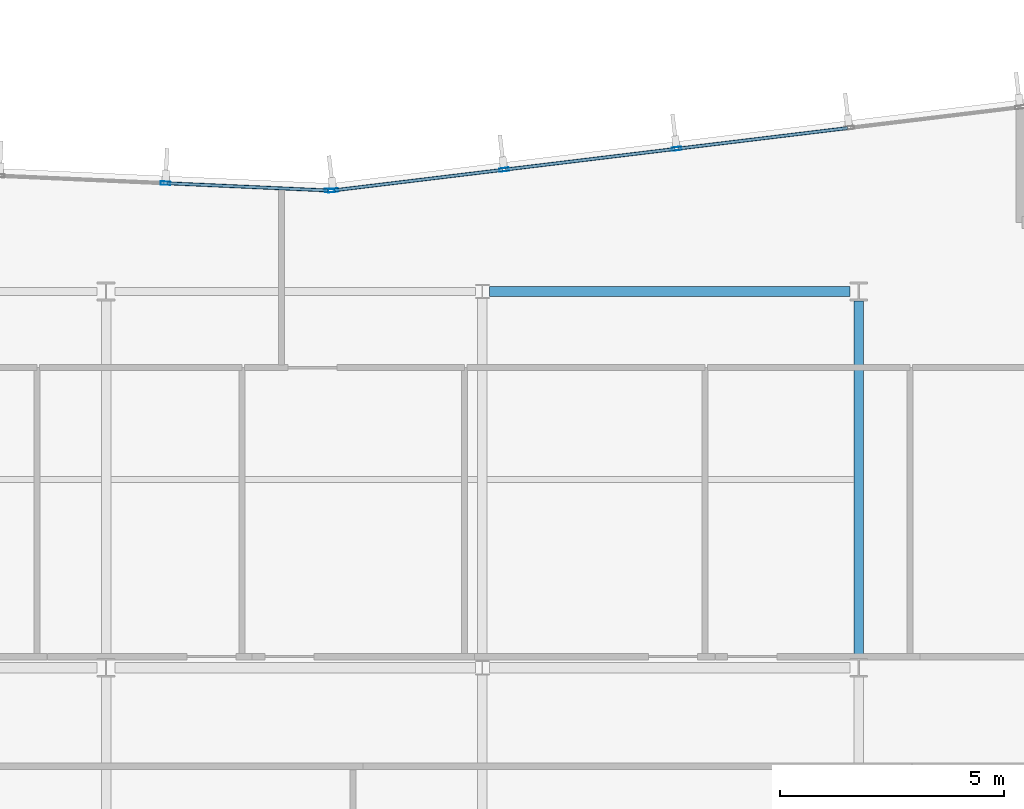
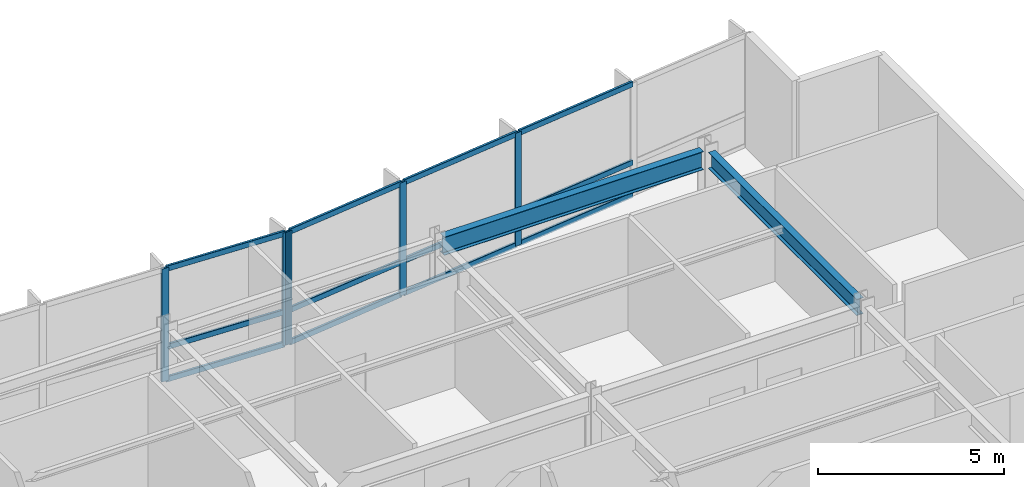
# One storey, part 7 of 18: 17 members, 2 beams, 2 elements without a shape of their own.
"""IFC4 building model written with IfcOpenShell, lengths in metres."""

from ifc_helpers import new_model, si_unit, direction, frame, origin, origin_2d, place, context, subcontext, project, spatial, hollow_rectangle, i_section, extrude, material, layer, layer_set, material_profile, profile_set, type_object, element, aggregate, save


model = new_model("IFC4")

# Units and contexts
model_context = context("Model", 3, precision=1e-05, world=origin(), true_north=direction((0.0, 1.0)))
body_context = subcontext(model_context, "Body", "Model", "MODEL_VIEW")
ifc_project = project(units=[si_unit("LENGTHUNIT", "METRE"), si_unit("AREAUNIT", "SQUARE_METRE"), si_unit("VOLUMEUNIT", "CUBIC_METRE"), si_unit("PLANEANGLEUNIT", "RADIAN"), si_unit("MASSUNIT", "GRAM", prefix="KILO")], contexts=[model_context])

# Site, building, storey
site_placement = place(None, origin())
site = spatial("IfcSite", under=ifc_project, at=site_placement, CompositionType="ELEMENT")
building_placement = place(site_placement, origin())
building = spatial("IfcBuilding", under=site, at=building_placement, Name="Varnakote Quay Hospital", CompositionType="ELEMENT")
storey_placement = place(building_placement, frame((0.0, 0.0, 154.699951171875)))
storey = spatial("IfcBuildingStorey", under=building, at=storey_placement, Name="L38", CompositionType="ELEMENT", Elevation=154.699951171875)

# Beams
ifc_material_1 = material(Name="Structural steel AS/NZS 3679.1 Grade 350 L0 (fy 340 MPa)", Category="steel")
ifc_material_profile_1 = material_profile(ifc_material_1, i_section(OverallWidth=0.208984375, OverallDepth=0.532958984375, WebThickness=0.01025390625, FlangeThickness=0.015625, FilletRadius=0.013916015625, at=origin_2d()), Name="530UB92.4")
ifc_profile_set_1 = profile_set([ifc_material_profile_1], Name="Structural steel AS/NZS 3679.1 Grade 350 L0 (fy 340 MPa)")
beam_type_1 = type_object("IfcBeamType", Name="BM-STL-530UB92-4", PredefinedType="BEAM", material=ifc_profile_set_1)
beam_1_placement = place(storey_placement, frame((50.39990234375, 20.610107421875, 3.443603515625), z_axis=(0.0, 1.0, 0.0), x_axis=(-1.0, 0.0, 0.0)))
element("IfcBeam", 1, at=beam_1_placement, inside=storey, type_object=beam_type_1, Name="L38 Primary Tie Beam", PredefinedType="BEAM", context=body_context, shape_type="SweptSolid", body=[
    extrude(i_section(OverallWidth=0.208984375, OverallDepth=0.532958984375, WebThickness=0.01025390625, FlangeThickness=0.015625, FilletRadius=0.013916015625, at=origin_2d()), origin(), (0.0, 0.0, 1.0), 7.97998046875),
])
ifc_material_2 = material(Name="Structural steel AS/NZS 3679.1 Grade 350 L0 (fy 340 MPa)", Category="steel")
ifc_material_profile_2 = material_profile(ifc_material_2, i_section(OverallWidth=0.22802734375, OverallDepth=0.60205078125, WebThickness=0.010498046875, FlangeThickness=0.014892578125, FilletRadius=0.013916015625, at=origin_2d()), Name="610UB101")
ifc_profile_set_2 = profile_set([ifc_material_profile_2], Name="Structural steel AS/NZS 3679.1 Grade 350 L0 (fy 340 MPa)")
beam_type_2 = type_object("IfcBeamType", Name="BM-STL-610UB101", PredefinedType="BEAM", material=ifc_profile_set_2)
beam_2_placement = place(storey_placement, frame((42.153564453125, 28.800048828125, 3.408935546875), z_axis=(1.0, 0.0, 0.0), x_axis=(0.0, 1.0, 0.0)))
element("IfcBeam", 2, at=beam_2_placement, inside=storey, type_object=beam_type_2, Name="L38 Primary Floor Beam", PredefinedType="BEAM", context=body_context, shape_type="SweptSolid", body=[
    extrude(i_section(OverallWidth=0.22802734375, OverallDepth=0.60205078125, WebThickness=0.010498046875, FlangeThickness=0.014892578125, FilletRadius=0.013916015625, at=origin_2d()), origin(), (0.0, 0.0, 1.0), 8.04638671875),
])

# Curtain wall, members
ifc_material_3 = material(Name="Anodised aluminium 6063-T6 Bronze", Category="aluminium")
ifc_layer = layer(ifc_material_3, 0.205078125)
ifc_layer_set = layer_set([ifc_layer], Name="Anodised aluminium 6063-T6 Bronze")
curtain_wall_type = type_object("IfcCurtainWallType", Name="CW-SYS-3", PredefinedType="NOTDEFINED", material=ifc_layer_set)
curtain_wall_1_placement = place(storey_placement, origin())
curtain_wall_1 = element("IfcCurtainWall", 3, at=curtain_wall_1_placement, inside=storey, type_object=curtain_wall_type, Name="L38 Unitised Bronze Curtain Wall 1", PredefinedType="NOTDEFINED")
ifc_material_4 = material(Name="Anodised aluminium 6063-T6 Bronze", Category="aluminium")
ifc_material_profile_3 = material_profile(ifc_material_4, hollow_rectangle(XDim=0.074951171875, YDim=0.219970703125, WallThickness=0.00439453125, InnerFilletRadius=0.00439453125, OuterFilletRadius=0.009033203125, at=origin_2d()), Name="CW-MULL-220x75")
ifc_profile_set_3 = profile_set([ifc_material_profile_3], Name="Anodised aluminium 6063-T6 Bronze")
member_type_1 = type_object("IfcMemberType", Name="CW-MULL-220x75", PredefinedType="MULLION", material=ifc_profile_set_3)
member_1_placement = place(storey_placement, frame((46.3349609375, 31.985595703125, 0.0), z_axis=(0.0, 0.0, 1.0), x_axis=(0.12032713492, -0.992734295067, 0.0)))
member_1 = element("IfcMember", 4, at=member_1_placement, type_object=member_type_1, Name="-3-L38-1 mullion 3", PredefinedType="MULLION", context=body_context, shape_type="SweptSolid", body=[
    extrude(hollow_rectangle(XDim=0.074951171875, YDim=0.219970703125, WallThickness=0.00439453125, InnerFilletRadius=0.00439453125, OuterFilletRadius=0.009033203125, at=origin_2d()), origin(), (0.0, 0.0, 1.0), 3.7099609375),
])
member_2_placement = place(storey_placement, frame((42.482666015625, 31.5185546875, 0.0), z_axis=(0.0, 0.0, 1.0), x_axis=(0.12032713492, -0.992734295067, 0.0)))
member_2 = element("IfcMember", 5, at=member_2_placement, type_object=member_type_1, Name="-3-L38-1 mullion 4", PredefinedType="MULLION", context=body_context, shape_type="SweptSolid", body=[
    extrude(hollow_rectangle(XDim=0.074951171875, YDim=0.219970703125, WallThickness=0.00439453125, InnerFilletRadius=0.00439453125, OuterFilletRadius=0.009033203125, at=origin_2d()), origin(), (0.0, 0.0, 1.0), 3.7099609375),
])
member_3_placement = place(storey_placement, frame((38.667236328125, 31.05615234375, 0.0), z_axis=(0.0, 0.0, 1.0), x_axis=(0.12032713492, -0.992734295067, 0.0)))
member_3 = element("IfcMember", 6, at=member_3_placement, type_object=member_type_1, Name="-3-L38-1 mullion 5", PredefinedType="MULLION", context=body_context, shape_type="SweptSolid", body=[
    extrude(hollow_rectangle(XDim=0.074951171875, YDim=0.219970703125, WallThickness=0.00439453125, InnerFilletRadius=0.00439453125, OuterFilletRadius=0.009033203125, at=origin_2d()), origin(), (0.0, 0.0, 1.0), 3.7099609375),
])

curtain_wall_2_placement = place(storey_placement, origin())
curtain_wall_2 = element("IfcCurtainWall", 7, at=curtain_wall_2_placement, inside=storey, type_object=curtain_wall_type, Name="L38 Unitised Bronze Curtain Wall 2", PredefinedType="NOTDEFINED")
member_4_placement = place(storey_placement, frame((38.592529296875, 31.05322265625, 0.0), z_axis=(0.0, 0.0, 1.0), x_axis=(-0.044782334659, -0.998996768014, 0.0)))
member_4 = element("IfcMember", 8, at=member_4_placement, type_object=member_type_1, Name="-3-L38-2 mullion 1", PredefinedType="MULLION", context=body_context, shape_type="SweptSolid", body=[
    extrude(hollow_rectangle(XDim=0.074951171875, YDim=0.219970703125, WallThickness=0.00439453125, InnerFilletRadius=0.00439453125, OuterFilletRadius=0.009033203125, at=origin_2d()), origin(), (0.0, 0.0, 1.0), 3.7099609375),
])
member_5_placement = place(storey_placement, frame((34.927001953125, 31.217529296875, 0.0), z_axis=(0.0, 0.0, 1.0), x_axis=(-0.044782334659, -0.998996768014, 0.0)))
member_5 = element("IfcMember", 9, at=member_5_placement, type_object=member_type_1, Name="-3-L38-2 mullion 2", PredefinedType="MULLION", context=body_context, shape_type="SweptSolid", body=[
    extrude(hollow_rectangle(XDim=0.074951171875, YDim=0.219970703125, WallThickness=0.00439453125, InnerFilletRadius=0.00439453125, OuterFilletRadius=0.009033203125, at=origin_2d()), origin(), (0.0, 0.0, 1.0), 3.7099609375),
])

# Member
ifc_material_5 = material(Name="Anodised aluminium 6063-T6 Bronze", Category="aluminium")
ifc_material_profile_4 = material_profile(ifc_material_5, hollow_rectangle(XDim=0.074951171875, YDim=0.179931640625, WallThickness=0.004150390625, InnerFilletRadius=0.004150390625, OuterFilletRadius=0.00830078125, at=origin_2d()), Name="CW-TRAN-180x75")
ifc_profile_set_4 = profile_set([ifc_material_profile_4], Name="Anodised aluminium 6063-T6 Bronze")
member_type_2 = type_object("IfcMemberType", Name="CW-TRAN-180x75", PredefinedType="USERDEFINED", material=ifc_profile_set_4)
member_6_placement = place(storey_placement, frame((50.150390625, 32.447998046875, 0.03759765625), z_axis=(-0.992731924158, -0.120346694005, 0.0), x_axis=(0.120346694005, -0.992731924158, 0.0)))
member_6 = element("IfcMember", 10, at=member_6_placement, type_object=member_type_2, Name="-3-L38-1 transom 2.1", ObjectType="TRANSOM", PredefinedType="USERDEFINED", context=body_context, shape_type="SweptSolid", body=[
    extrude(hollow_rectangle(XDim=0.074951171875, YDim=0.179931640625, WallThickness=0.004150390625, InnerFilletRadius=0.004150390625, OuterFilletRadius=0.00830078125, at=origin_2d()), origin(), (0.0, 0.0, 1.0), 3.8056640625),
])

member_7_placement = place(storey_placement, frame((50.150390625, 32.447998046875, 1.10009765625), z_axis=(-0.992731924158, -0.120346694005, 0.0), x_axis=(0.120346694005, -0.992731924158, 0.0)))
member_7 = element("IfcMember", 11, at=member_7_placement, type_object=member_type_2, Name="-3-L38-1 transom 2.2", ObjectType="TRANSOM", PredefinedType="USERDEFINED", context=body_context, shape_type="SweptSolid", body=[
    extrude(hollow_rectangle(XDim=0.074951171875, YDim=0.179931640625, WallThickness=0.004150390625, InnerFilletRadius=0.004150390625, OuterFilletRadius=0.00830078125, at=origin_2d()), origin(), (0.0, 0.0, 1.0), 3.8056640625),
])

member_8_placement = place(storey_placement, frame((50.150390625, 32.447998046875, 3.672607421875), z_axis=(-0.992731924158, -0.120346694005, 0.0), x_axis=(0.120346694005, -0.992731924158, 0.0)))
member_8 = element("IfcMember", 12, at=member_8_placement, type_object=member_type_2, Name="-3-L38-1 transom 2.3", ObjectType="TRANSOM", PredefinedType="USERDEFINED", context=body_context, shape_type="SweptSolid", body=[
    extrude(hollow_rectangle(XDim=0.074951171875, YDim=0.179931640625, WallThickness=0.004150390625, InnerFilletRadius=0.004150390625, OuterFilletRadius=0.00830078125, at=origin_2d()), origin(), (0.0, 0.0, 1.0), 3.8056640625),
])

member_9_placement = place(storey_placement, frame((46.2978515625, 31.98095703125, 0.03759765625), z_axis=(-0.992731924158, -0.120346694005, 0.0), x_axis=(0.120346694005, -0.992731924158, 0.0)))
member_9 = element("IfcMember", 13, at=member_9_placement, type_object=member_type_2, Name="-3-L38-1 transom 3.1", ObjectType="TRANSOM", PredefinedType="USERDEFINED", context=body_context, shape_type="SweptSolid", body=[
    extrude(hollow_rectangle(XDim=0.074951171875, YDim=0.179931640625, WallThickness=0.004150390625, InnerFilletRadius=0.004150390625, OuterFilletRadius=0.00830078125, at=origin_2d()), origin(), (0.0, 0.0, 1.0), 3.8056640625),
])

member_10_placement = place(storey_placement, frame((46.2978515625, 31.98095703125, 1.10009765625), z_axis=(-0.992731924158, -0.120346694005, 0.0), x_axis=(0.120346694005, -0.992731924158, 0.0)))
member_10 = element("IfcMember", 14, at=member_10_placement, type_object=member_type_2, Name="-3-L38-1 transom 3.2", ObjectType="TRANSOM", PredefinedType="USERDEFINED", context=body_context, shape_type="SweptSolid", body=[
    extrude(hollow_rectangle(XDim=0.074951171875, YDim=0.179931640625, WallThickness=0.004150390625, InnerFilletRadius=0.004150390625, OuterFilletRadius=0.00830078125, at=origin_2d()), origin(), (0.0, 0.0, 1.0), 3.8056640625),
])

member_11_placement = place(storey_placement, frame((46.2978515625, 31.98095703125, 3.672607421875), z_axis=(-0.992731924158, -0.120346694005, 0.0), x_axis=(0.120346694005, -0.992731924158, 0.0)))
member_11 = element("IfcMember", 15, at=member_11_placement, type_object=member_type_2, Name="-3-L38-1 transom 3.3", ObjectType="TRANSOM", PredefinedType="USERDEFINED", context=body_context, shape_type="SweptSolid", body=[
    extrude(hollow_rectangle(XDim=0.074951171875, YDim=0.179931640625, WallThickness=0.004150390625, InnerFilletRadius=0.004150390625, OuterFilletRadius=0.00830078125, at=origin_2d()), origin(), (0.0, 0.0, 1.0), 3.8056640625),
])

member_12_placement = place(storey_placement, frame((42.4453125, 31.513916015625, 0.03759765625), z_axis=(-0.992735423717, -0.120317822859, 0.0), x_axis=(0.120317822859, -0.992735423717, 0.0)))
member_12 = element("IfcMember", 16, at=member_12_placement, type_object=member_type_2, Name="-3-L38-1 transom 4.1", ObjectType="TRANSOM", PredefinedType="USERDEFINED", context=body_context, shape_type="SweptSolid", body=[
    extrude(hollow_rectangle(XDim=0.074951171875, YDim=0.179931640625, WallThickness=0.004150390625, InnerFilletRadius=0.004150390625, OuterFilletRadius=0.00830078125, at=origin_2d()), origin(), (0.0, 0.0, 1.0), 3.76806640625),
])

member_13_placement = place(storey_placement, frame((42.4453125, 31.513916015625, 1.10009765625), z_axis=(-0.992735423717, -0.120317822859, 0.0), x_axis=(0.120317822859, -0.992735423717, 0.0)))
member_13 = element("IfcMember", 17, at=member_13_placement, type_object=member_type_2, Name="-3-L38-1 transom 4.2", ObjectType="TRANSOM", PredefinedType="USERDEFINED", context=body_context, shape_type="SweptSolid", body=[
    extrude(hollow_rectangle(XDim=0.074951171875, YDim=0.179931640625, WallThickness=0.004150390625, InnerFilletRadius=0.004150390625, OuterFilletRadius=0.00830078125, at=origin_2d()), origin(), (0.0, 0.0, 1.0), 3.76806640625),
])

member_14_placement = place(storey_placement, frame((42.4453125, 31.513916015625, 3.672607421875), z_axis=(-0.992735423717, -0.120317822859, 0.0), x_axis=(0.120317822859, -0.992735423717, 0.0)))
member_14 = element("IfcMember", 18, at=member_14_placement, type_object=member_type_2, Name="-3-L38-1 transom 4.3", ObjectType="TRANSOM", PredefinedType="USERDEFINED", context=body_context, shape_type="SweptSolid", body=[
    extrude(hollow_rectangle(XDim=0.074951171875, YDim=0.179931640625, WallThickness=0.004150390625, InnerFilletRadius=0.004150390625, OuterFilletRadius=0.00830078125, at=origin_2d()), origin(), (0.0, 0.0, 1.0), 3.76806640625),
])

aggregate(curtain_wall_1, [member_1, member_2, member_3, member_6, member_7, member_8, member_9, member_10, member_11, member_12, member_13, member_14])

member_15_placement = place(storey_placement, frame((38.55517578125, 31.054931640625, 0.03759765625), z_axis=(-0.998997740237, 0.044760641203, 0.0), x_axis=(-0.044760641203, -0.998997740237, 0.0)))
member_15 = element("IfcMember", 19, at=member_15_placement, type_object=member_type_2, Name="-3-L38-2 transom 1.1", ObjectType="TRANSOM", PredefinedType="USERDEFINED", context=body_context, shape_type="SweptSolid", body=[
    extrude(hollow_rectangle(XDim=0.074951171875, YDim=0.179931640625, WallThickness=0.004150390625, InnerFilletRadius=0.004150390625, OuterFilletRadius=0.00830078125, at=origin_2d()), origin(), (0.0, 0.0, 1.0), 3.594482421875),
])

member_16_placement = place(storey_placement, frame((38.55517578125, 31.054931640625, 1.10009765625), z_axis=(-0.998997740237, 0.044760641203, 0.0), x_axis=(-0.044760641203, -0.998997740237, 0.0)))
member_16 = element("IfcMember", 20, at=member_16_placement, type_object=member_type_2, Name="-3-L38-2 transom 1.2", ObjectType="TRANSOM", PredefinedType="USERDEFINED", context=body_context, shape_type="SweptSolid", body=[
    extrude(hollow_rectangle(XDim=0.074951171875, YDim=0.179931640625, WallThickness=0.004150390625, InnerFilletRadius=0.004150390625, OuterFilletRadius=0.00830078125, at=origin_2d()), origin(), (0.0, 0.0, 1.0), 3.594482421875),
])

member_17_placement = place(storey_placement, frame((38.55517578125, 31.054931640625, 3.672607421875), z_axis=(-0.998997740237, 0.044760641203, 0.0), x_axis=(-0.044760641203, -0.998997740237, 0.0)))
member_17 = element("IfcMember", 21, at=member_17_placement, type_object=member_type_2, Name="-3-L38-2 transom 1.3", ObjectType="TRANSOM", PredefinedType="USERDEFINED", context=body_context, shape_type="SweptSolid", body=[
    extrude(hollow_rectangle(XDim=0.074951171875, YDim=0.179931640625, WallThickness=0.004150390625, InnerFilletRadius=0.004150390625, OuterFilletRadius=0.00830078125, at=origin_2d()), origin(), (0.0, 0.0, 1.0), 3.594482421875),
])

aggregate(curtain_wall_2, [member_4, member_5, member_15, member_16, member_17])

save(model, "model.ifc")
